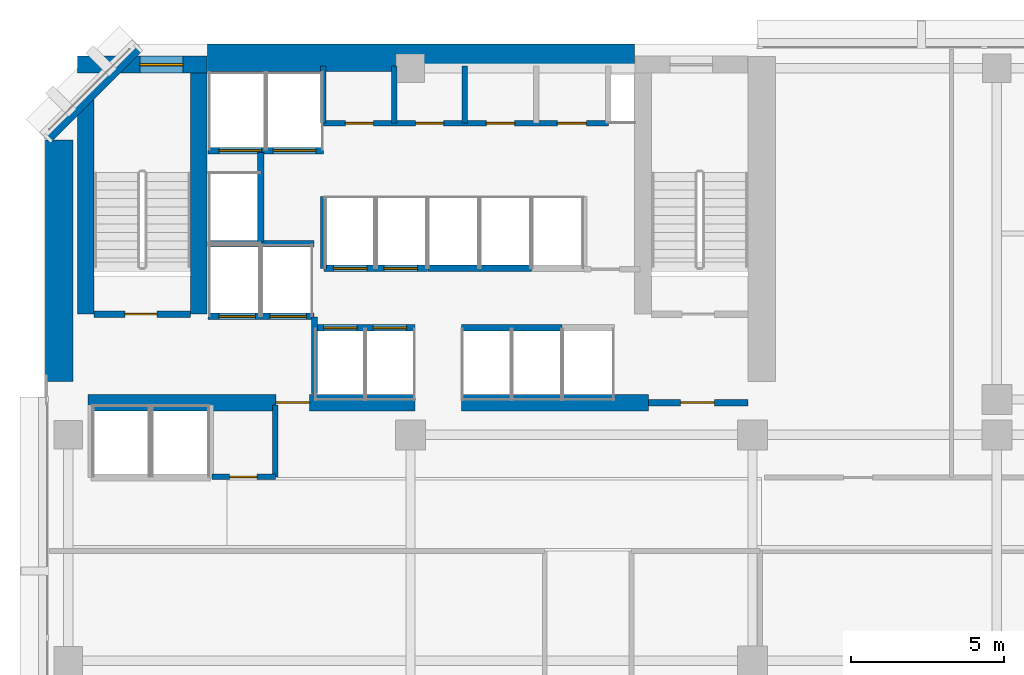
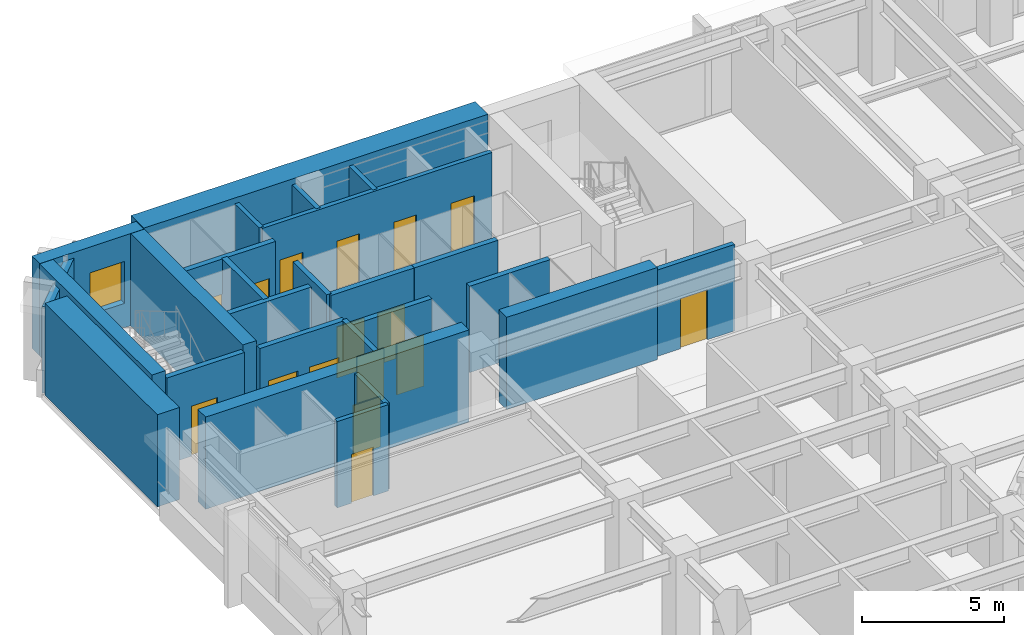
# One storey, part 7 of 13: 26 walls, 16 doors, 1 window, 17 openings.
"""IFC4 building model written with IfcOpenShell, lengths in metres."""

import ifcopenshell
import ifcopenshell.guid

model = None  # the IFC model being written
_history = None  # IfcOwnerHistory: only IFC2X3 demands one
_inside = {}  # id of a spatial element -> (the spatial element, [elements in it])
_under = {}  # id of a project, library or spatial element -> (it, [spatial elements below it])
_declared = {}  # id of a project -> (the project, [libraries it declares])
_typed = {}  # id of a type object -> (the type object, [elements of that type])
_made_of = {}  # id of a material, layer set ... -> (it, [elements and type objects made of it])


def new_model(schema):
    """Start an empty IFC model of exactly this schema.

    Asked for "IFC4X3", IfcOpenShell would pick the latest addendum, in which some entities
    have other attributes; the version numbers below select the first issue.
    IFC2X3 requires an IfcOwnerHistory on every rooted entity: one is made here for all.
    """
    global model, _history
    if schema == "IFC4X3":
        model = ifcopenshell.file(schema_version=(4, 3, 0, 0))
    else:
        model = ifcopenshell.file(schema=schema)
    _inside.clear()
    _under.clear()
    _declared.clear()
    _typed.clear()
    _made_of.clear()
    _history = None
    if model.schema == "IFC2X3":
        org = make("IfcOrganization", Name="unknown")
        user = make(
            "IfcPersonAndOrganization",
            ThePerson=make("IfcPerson", FamilyName="unknown"),
            TheOrganization=org,
        )
        app = make(
            "IfcApplication",
            ApplicationDeveloper=org,
            Version="unknown",
            ApplicationFullName="unknown",
            ApplicationIdentifier="unknown",
        )
        _history = make(
            "IfcOwnerHistory",
            OwningUser=user,
            OwningApplication=app,
            ChangeAction="ADDED",
            CreationDate=0,
        )
    return model


def make(cls, **values):
    """One entity of the class cls with the attributes given. An attribute that is None is left unset."""
    return model.create_entity(
        cls, **{name: value for name, value in values.items() if value is not None}
    )


def rooted(cls, **values):
    """An entity with a GlobalId (a new one), such as an element, a storey or a relation."""
    return make(cls, GlobalId=ifcopenshell.guid.new(), OwnerHistory=_history, **values)


def si_unit(unit_type, name, prefix=None):
    """IfcSIUnit, for example si_unit("LENGTHUNIT", "METRE", prefix="MILLI")."""
    return make("IfcSIUnit", UnitType=unit_type, Prefix=prefix, Name=name)


def assignment(units):
    """IfcUnitAssignment: the units of a project."""
    return None if units is None else make("IfcUnitAssignment", Units=units)


def point(xyz):
    """IfcCartesianPoint."""
    return None if xyz is None else make("IfcCartesianPoint", Coordinates=xyz)


def direction(xyz):
    """IfcDirection."""
    return None if xyz is None else make("IfcDirection", DirectionRatios=xyz)


def frame(location, z_axis=None, x_axis=None):
    """IfcAxis2Placement3D, a coordinate frame: its origin and axes. An axis left out is left unset."""
    return make(
        "IfcAxis2Placement3D",
        Location=point(location),
        Axis=direction(z_axis),
        RefDirection=direction(x_axis),
    )


def frame_2d(location, x_axis=None):
    """IfcAxis2Placement2D, a coordinate frame in the plane: its origin and x axis."""
    return make(
        "IfcAxis2Placement2D", Location=point(location), RefDirection=direction(x_axis)
    )


def origin():
    """The frame at (0, 0, 0) with its axes left unset."""
    return frame((0.0, 0.0, 0.0))


def place(relative_to, where):
    """IfcLocalPlacement: puts the frame where relative to a parent placement (None: the world)."""
    return make(
        "IfcLocalPlacement", PlacementRelTo=relative_to, RelativePlacement=where
    )


def context(
    kind, dimensions, precision=None, world=None, true_north=None, identifier=None
):
    """IfcGeometricRepresentationContext, for example the 3D "Model" context."""
    return make(
        "IfcGeometricRepresentationContext",
        ContextIdentifier=identifier,
        ContextType=kind,
        CoordinateSpaceDimension=dimensions,
        Precision=precision,
        WorldCoordinateSystem=world,
        TrueNorth=true_north,
    )


def subcontext(parent, identifier, kind, view, scale=None):
    """IfcGeometricRepresentationSubContext, for example "Body" below "Model"."""
    return make(
        "IfcGeometricRepresentationSubContext",
        ContextIdentifier=identifier,
        ContextType=kind,
        ParentContext=parent,
        TargetScale=scale,
        TargetView=view,
    )


def project(units=None, contexts=None):
    """IfcProject with its units and contexts."""
    return rooted(
        "IfcProject",
        Name="project",
        RepresentationContexts=contexts,
        UnitsInContext=assignment(units),
    )


def spatial(cls, under=None, at=None, **own):
    """A site, building, storey or space (cls), placed at a placement, below another one or the project."""
    s = rooted(cls, ObjectPlacement=at, **own)
    if under is not None:
        _under.setdefault(under.id(), (under, []))[1].append(s)
    return s


def profile(cls, at=None, kind="AREA", **sizes):
    """A parametric profile (cls). Its sizes go by their IFC names, for example OverallWidth=200.0."""
    return make(cls, ProfileType=kind, Position=at, **sizes)


def rectangle(**sizes):
    """IfcRectangleProfileDef."""
    return profile("IfcRectangleProfileDef", **sizes)


def extrude(swept, where, along, depth):
    """IfcExtrudedAreaSolid: the profile swept, set in the frame where, extruded along a direction by depth."""
    return make(
        "IfcExtrudedAreaSolid",
        SweptArea=swept,
        Position=where,
        ExtrudedDirection=direction(along),
        Depth=depth,
    )


def shape(context_of_items, identifier, shape_type, items):
    """IfcShapeRepresentation: the items that make up one representation, for example the "Body"."""
    return make(
        "IfcShapeRepresentation",
        ContextOfItems=context_of_items,
        RepresentationIdentifier=identifier,
        RepresentationType=shape_type,
        Items=items,
    )


def material(Name=None, Category=None):
    """IfcMaterial."""
    return make("IfcMaterial", Name=Name, Category=Category)


def layer(
    of_material, thickness, ventilated=None, Name=None, Category=None, Priority=None
):
    """IfcMaterialLayer: one layer of a wall or slab, of a material (None: an air gap)."""
    return make(
        "IfcMaterialLayer",
        Material=of_material,
        LayerThickness=thickness,
        IsVentilated=ventilated,
        Name=Name,
        Category=Category,
        Priority=Priority,
    )


def layer_set(layers, Name=None):
    """IfcMaterialLayerSet."""
    return make("IfcMaterialLayerSet", MaterialLayers=layers, LayerSetName=Name)


def made_of(thing, what):
    """Note that an element or type object is made of a material, layer set ...; save() writes the relation."""
    if what is not None:
        _made_of.setdefault(what.id(), (what, []))[1].append(thing)
    return thing


def type_object(cls, material=None, **own):
    """A type object (cls), such as IfcWallType, which elements share."""
    return made_of(rooted(cls, **own), material)


def element(
    cls,
    number,
    at=None,
    inside=None,
    cuts=None,
    type_object=None,
    material=None,
    context=None,
    identifier="Body",
    shape_type=None,
    held_by="IfcProductDefinitionShape",
    body=None,
    shapes=None,
    **own,
):
    """One element of the class cls, such as IfcWall. Its Tag is "e" and its number.

    at: its placement. inside: the storey or other place that contains it. cuts: it is an
    opening in that element (IfcRelVoidsElement). A single representation is given by context,
    identifier, shape_type and body (its items); several are given by shapes. held_by: the class
    of the entity that holds the representations. save() writes the other relations.
    """
    e = rooted(cls, Tag="e%d" % number, ObjectPlacement=at, **own)
    if body is not None:
        shapes = [shape(context, identifier, shape_type, body)]
    if shapes is not None:
        e.Representation = make(held_by, Representations=shapes)
    if inside is not None:
        _inside.setdefault(inside.id(), (inside, []))[1].append(e)
    if cuts is not None:
        rooted(
            "IfcRelVoidsElement", RelatingBuildingElement=cuts, RelatedOpeningElement=e
        )
    if type_object is not None:
        _typed.setdefault(type_object.id(), (type_object, []))[1].append(e)
    return made_of(e, material)


def fill(opening, filler):
    """IfcRelFillsElement: the door or window that sits in an opening."""
    return rooted(
        "IfcRelFillsElement",
        RelatingOpeningElement=opening,
        RelatedBuildingElement=filler,
    )


def aggregate(whole, parts):
    """IfcRelAggregates: a whole, such as a stair, and the parts it consists of."""
    return rooted("IfcRelAggregates", RelatingObject=whole, RelatedObjects=parts)


def save(model, path):
    """Write the relations noted so far, then the file.

    IfcRelAggregates (storeys below a building ...), IfcRelContainedInSpatialStructure (elements
    in a storey), IfcRelDefinesByType, IfcRelAssociatesMaterial and IfcRelDeclares: one each for
    every whole, place, type object, material and project.
    """
    for whole, parts in _under.values():
        aggregate(whole, parts)
    for where, things in _inside.values():
        rooted(
            "IfcRelContainedInSpatialStructure",
            RelatedElements=things,
            RelatingStructure=where,
        )
    for kind, things in _typed.values():
        rooted("IfcRelDefinesByType", RelatedObjects=things, RelatingType=kind)
    for what, things in _made_of.values():
        rooted("IfcRelAssociatesMaterial", RelatedObjects=things, RelatingMaterial=what)
    for by, libraries in _declared.values():
        rooted("IfcRelDeclares", RelatingContext=by, RelatedDefinitions=libraries)
    model.write(path)


model = new_model("IFC4")

# Units and contexts
model_context = context("Model", 3, precision=1e-05, world=origin(), true_north=direction((0.0, 1.0)))
body_context = subcontext(model_context, "Body", "Model", "MODEL_VIEW")
ifc_project = project(units=[si_unit("LENGTHUNIT", "METRE"), si_unit("AREAUNIT", "SQUARE_METRE"), si_unit("VOLUMEUNIT", "CUBIC_METRE"), si_unit("PLANEANGLEUNIT", "RADIAN"), si_unit("MASSUNIT", "GRAM", prefix="KILO")], contexts=[model_context])

# Site, building, storey
site_placement = place(None, origin())
site = spatial("IfcSite", under=ifc_project, at=site_placement, CompositionType="ELEMENT")
building_placement = place(site_placement, origin())
building = spatial("IfcBuilding", under=site, at=building_placement, Name="Kefirva Bronze Tower", CompositionType="ELEMENT")
storey_placement = place(building_placement, frame((0.0, 0.0, 73.919921875)))
storey = spatial("IfcBuildingStorey", under=building, at=storey_placement, Name="L17", CompositionType="ELEMENT", Elevation=73.919921875)

# Wall, opening, door
ifc_material_1 = material(Name="Gypsum fireboard shaftwall")
ifc_layer_1 = layer(ifc_material_1, 0.219970703125, Name="Gypsum fireboard shaftwall")
ifc_layer_set_1 = layer_set([ifc_layer_1], Name="Gypsum fireboard shaftwall")
wall_type_1 = type_object("IfcWallType", Name="Fire-Rated Shaft Enclosure Wall 220mm", PredefinedType="PARTITIONING", material=ifc_layer_set_1)
wall_1_placement = place(storey_placement, frame((1.64990234375, 37.14990234375, 0.0), z_axis=(0.0, 0.0, 1.0), x_axis=(1.0, 0.0, 0.0)))
wall_1 = element("IfcWall", 1, at=wall_1_placement, inside=storey, type_object=wall_type_1, Name="L17 Partition W-L17-ST1S", PredefinedType="PARTITIONING", context=body_context, shape_type="SweptSolid", body=[
    extrude(rectangle(XDim=3.150146484375, YDim=0.219970703125, at=frame_2d((1.5751953125, 0.0))), origin(), (0.0, 0.0, 1.0), 3.7099609375),
])
opening_1_placement = place(wall_1_placement, frame((2.050048828125, 0.0, 0.0), z_axis=(0.0, 0.0, 1.0), x_axis=(-1.0, 0.0, 0.0)))
opening_1 = element("IfcOpeningElement", 2, at=opening_1_placement, cuts=wall_1, Name="Opening L17-D001", PredefinedType="OPENING", context=body_context, shape_type="SweptSolid", body=[
    extrude(rectangle(XDim=1.050048828125, YDim=2.14990234375, at=frame_2d((0.52490234375, 1.074951171875))), frame((0.0, 0.1201171875, 0.0), z_axis=(0.0, -1.0, 0.0), x_axis=(1.0, 0.0, 0.0)), (0.0, 0.0, 1.0), 0.239990234375),
])
ifc_material_2 = material(Name="Painted galvanized steel", Category="steel")
door_type_1 = type_object("IfcDoorType", Name="Fire Stair Enclosure Door 1050x2150 FD90S", OperationType="NOTDEFINED", PredefinedType="DOOR", material=ifc_material_2)
door_1_placement = place(opening_1_placement, origin())
door_1 = element("IfcDoor", 3, at=door_1_placement, inside=storey, type_object=door_type_1, Name="Door L17-D001", OperationType="SINGLE_SWING_LEFT", OverallHeight=2.14990234375, OverallWidth=1.050048828125, PredefinedType="DOOR", context=body_context, shape_type="SweptSolid", body=[
    extrude(rectangle(XDim=1.050048828125, YDim=2.14990234375, at=frame_2d((0.52490234375, 1.074951171875))), frame((0.0, 0.02490234375, 0.0), z_axis=(0.0, -1.0, 0.0), x_axis=(1.0, 0.0, 0.0)), (0.0, 0.0, 1.0), 0.050048828125),
])
fill(opening_1, door_1)

# Wall, openings, doors
wall_2_placement = place(storey_placement, frame((5.3798828125, 37.080078125, 0.0), z_axis=(0.0, 0.0, 1.0), x_axis=(1.0, 0.0, 0.0)))
wall_2 = element("IfcWall", 4, at=wall_2_placement, inside=storey, type_object=wall_type_1, Name="L17 Partition W-L17-FFS", PredefinedType="PARTITIONING", context=body_context, shape_type="SweptSolid", body=[
    extrude(rectangle(XDim=3.460205078125, YDim=0.219970703125, at=frame_2d((1.72998046875, 0.0))), origin(), (0.0, 0.0, 1.0), 3.7099609375),
])
opening_2_placement = place(wall_2_placement, frame((1.550048828125, 0.0, 0.0), z_axis=(0.0, 0.0, 1.0), x_axis=(-1.0, 0.0, 0.0)))
opening_2 = element("IfcOpeningElement", 5, at=opening_2_placement, cuts=wall_2, Name="Opening L17-LD-FF1", PredefinedType="OPENING", context=body_context, shape_type="SweptSolid", body=[
    extrude(rectangle(XDim=1.199951171875, YDim=2.199951171875, at=frame_2d((0.60009765625, 1.10009765625))), frame((0.0, 0.1201171875, 0.0), z_axis=(0.0, -1.0, 0.0), x_axis=(1.0, 0.0, 0.0)), (0.0, 0.0, 1.0), 0.239990234375),
])
opening_3_placement = place(wall_2_placement, frame((3.219970703125, 0.0, 0.0), z_axis=(0.0, 0.0, 1.0), x_axis=(-1.0, 0.0, 0.0)))
opening_3 = element("IfcOpeningElement", 6, at=opening_3_placement, cuts=wall_2, Name="Opening L17-LD-FF2", PredefinedType="OPENING", context=body_context, shape_type="SweptSolid", body=[
    extrude(rectangle(XDim=1.199951171875, YDim=2.199951171875, at=frame_2d((0.60009765625, 1.10009765625))), frame((0.0, 0.1201171875, 0.0), z_axis=(0.0, -1.0, 0.0), x_axis=(1.0, 0.0, 0.0)), (0.0, 0.0, 1.0), 0.239990234375),
])
ifc_material_3 = material(Name="Stainless steel 316", Category="steel")
door_type_2 = type_object("IfcDoorType", Name="Firefighting Lift Sliding Door 1200x2200", OperationType="SLIDING_TO_RIGHT", PredefinedType="DOOR", material=ifc_material_3)
door_2_placement = place(opening_2_placement, origin())
door_2 = element("IfcDoor", 7, at=door_2_placement, inside=storey, type_object=door_type_2, Name="Door L17-LD-FF1", OperationType="SLIDING_TO_RIGHT", OverallHeight=2.199951171875, OverallWidth=1.199951171875, PredefinedType="DOOR", context=body_context, shape_type="SweptSolid", body=[
    extrude(rectangle(XDim=1.199951171875, YDim=2.199951171875, at=frame_2d((0.60009765625, 1.10009765625))), frame((0.0, 0.02490234375, 0.0), z_axis=(0.0, -1.0, 0.0), x_axis=(1.0, 0.0, 0.0)), (0.0, 0.0, 1.0), 0.050048828125),
])
fill(opening_2, door_2)
door_3_placement = place(opening_3_placement, origin())
door_3 = element("IfcDoor", 8, at=door_3_placement, inside=storey, type_object=door_type_2, Name="Door L17-LD-FF2", OperationType="SLIDING_TO_RIGHT", OverallHeight=2.199951171875, OverallWidth=1.199951171875, PredefinedType="DOOR", context=body_context, shape_type="SweptSolid", body=[
    extrude(rectangle(XDim=1.199951171875, YDim=2.199951171875, at=frame_2d((0.60009765625, 1.10009765625))), frame((0.0, 0.02490234375, 0.0), z_axis=(0.0, -1.0, 0.0), x_axis=(1.0, 0.0, 0.0)), (0.0, 0.0, 1.0), 0.050048828125),
])
fill(opening_3, door_3)

# Wall
wall_3_placement = place(storey_placement, frame((5.3798828125, 39.449951171875, 0.0), z_axis=(0.0, 0.0, 1.0), x_axis=(1.0, 0.0, 0.0)))
element("IfcWall", 9, at=wall_3_placement, inside=storey, type_object=wall_type_1, Name="L17 Partition W-L17-FFN", PredefinedType="PARTITIONING", context=body_context, shape_type="SweptSolid", body=[
    extrude(rectangle(XDim=3.460205078125, YDim=0.219970703125, at=frame_2d((1.72998046875, 0.0))), origin(), (0.0, 0.0, 1.0), 3.7099609375),
])

# Wall, openings, doors
wall_4_placement = place(storey_placement, frame((5.3798828125, 42.5, 0.0), z_axis=(0.0, 0.0, 1.0), x_axis=(1.0, 0.0, 0.0)))
wall_4 = element("IfcWall", 10, at=wall_4_placement, inside=storey, type_object=wall_type_1, Name="L17 Partition W-L17-SVS", PredefinedType="PARTITIONING", context=body_context, shape_type="SweptSolid", body=[
    extrude(rectangle(XDim=3.77001953125, YDim=0.219970703125, at=frame_2d((1.885009765625, 0.0))), origin(), (0.0, 0.0, 1.0), 3.7099609375),
])
opening_4_placement = place(wall_4_placement, frame((1.75, 0.0, 0.0), z_axis=(0.0, 0.0, 1.0), x_axis=(-1.0, 0.0, 0.0)))
opening_4 = element("IfcOpeningElement", 11, at=opening_4_placement, cuts=wall_4, Name="Opening L17-LD-SV1", PredefinedType="OPENING", context=body_context, shape_type="SweptSolid", body=[
    extrude(rectangle(XDim=1.39990234375, YDim=2.199951171875, at=frame_2d((0.699951171875, 1.10009765625))), frame((0.0, 0.1201171875, 0.0), z_axis=(0.0, -1.0, 0.0), x_axis=(1.0, 0.0, 0.0)), (0.0, 0.0, 1.0), 0.239990234375),
])
opening_5_placement = place(wall_4_placement, frame((3.52978515625, 0.0, 0.0), z_axis=(0.0, 0.0, 1.0), x_axis=(-1.0, 0.0, 0.0)))
opening_5 = element("IfcOpeningElement", 12, at=opening_5_placement, cuts=wall_4, Name="Opening L17-LD-SV2", PredefinedType="OPENING", context=body_context, shape_type="SweptSolid", body=[
    extrude(rectangle(XDim=1.39990234375, YDim=2.199951171875, at=frame_2d((0.699951171875, 1.10009765625))), frame((0.0, 0.1201171875, 0.0), z_axis=(0.0, -1.0, 0.0), x_axis=(1.0, 0.0, 0.0)), (0.0, 0.0, 1.0), 0.239990234375),
])
door_type_3 = type_object("IfcDoorType", Name="Goods Lift Bi-Parting Sliding Door 1400x2200", OperationType="SLIDING_TO_LEFT", PredefinedType="DOOR", material=ifc_material_3)
door_4_placement = place(opening_4_placement, origin())
door_4 = element("IfcDoor", 13, at=door_4_placement, inside=storey, type_object=door_type_3, Name="Door L17-LD-SV1", OperationType="SLIDING_TO_LEFT", OverallHeight=2.199951171875, OverallWidth=1.39990234375, PredefinedType="DOOR", context=body_context, shape_type="SweptSolid", body=[
    extrude(rectangle(XDim=1.39990234375, YDim=2.199951171875, at=frame_2d((0.699951171875, 1.10009765625))), frame((0.0, 0.02490234375, 0.0), z_axis=(0.0, -1.0, 0.0), x_axis=(1.0, 0.0, 0.0)), (0.0, 0.0, 1.0), 0.050048828125),
])
fill(opening_4, door_4)
door_5_placement = place(opening_5_placement, origin())
door_5 = element("IfcDoor", 14, at=door_5_placement, inside=storey, type_object=door_type_3, Name="Door L17-LD-SV2", OperationType="SLIDING_TO_LEFT", OverallHeight=2.199951171875, OverallWidth=1.39990234375, PredefinedType="DOOR", context=body_context, shape_type="SweptSolid", body=[
    extrude(rectangle(XDim=1.39990234375, YDim=2.199951171875, at=frame_2d((0.699951171875, 1.10009765625))), frame((0.0, 0.02490234375, 0.0), z_axis=(0.0, -1.0, 0.0), x_axis=(1.0, 0.0, 0.0)), (0.0, 0.0, 1.0), 0.050048828125),
])
fill(opening_5, door_5)

# Walls
wall_5_placement = place(storey_placement, frame((7.10009765625, 39.52001953125, 0.0), z_axis=(0.0, 0.0, 1.0), x_axis=(0.0, 1.0, 0.0)))
element("IfcWall", 15, at=wall_5_placement, inside=storey, type_object=wall_type_1, Name="L17 Partition W-L17-HP3E", PredefinedType="PARTITIONING", context=body_context, shape_type="SweptSolid", body=[
    extrude(rectangle(XDim=2.929931640625, YDim=0.219970703125, at=frame_2d((1.46484375, 0.0))), origin(), (0.0, 0.0, 1.0), 3.7099609375),
])
wall_6_placement = place(storey_placement, frame((9.159912109375, 38.64990234375, 0.0), z_axis=(0.0, 0.0, 1.0), x_axis=(0.0, 1.0, 0.0)))
element("IfcWall", 16, at=wall_6_placement, inside=storey, type_object=wall_type_1, Name="L17 Partition W-L17-LP3W", PredefinedType="PARTITIONING", context=body_context, shape_type="SweptSolid", body=[
    extrude(rectangle(XDim=2.35009765625, YDim=0.199951171875, at=frame_2d((1.175048828125, 0.0))), origin(), (0.0, 0.0, 1.0), 3.7099609375),
])

# Wall, openings, doors
wall_7_placement = place(storey_placement, frame((8.89990234375, 36.699951171875, 0.0), z_axis=(0.0, 0.0, 1.0), x_axis=(1.0, 0.0, 0.0)))
wall_7 = element("IfcWall", 17, at=wall_7_placement, inside=storey, type_object=wall_type_1, Name="L17 Partition W-L17-LPS", PredefinedType="PARTITIONING", context=body_context, shape_type="SweptSolid", body=[
    extrude(rectangle(XDim=3.260009765625, YDim=0.219970703125, at=frame_2d((1.6298828125, 0.0))), origin(), (0.0, 0.0, 1.0), 3.7099609375),
])
opening_6_placement = place(wall_7_placement, frame((0.260009765625, 0.0, 0.0)))
opening_6 = element("IfcOpeningElement", 18, at=opening_6_placement, cuts=wall_7, Name="Opening L17-LD-LP1", PredefinedType="OPENING", context=body_context, shape_type="SweptSolid", body=[
    extrude(rectangle(XDim=1.10009765625, YDim=2.199951171875, at=frame_2d((0.550048828125, 1.10009765625))), frame((0.0, 0.1201171875, 0.0), z_axis=(0.0, -1.0, 0.0), x_axis=(1.0, 0.0, 0.0)), (0.0, 0.0, 1.0), 0.239990234375),
])
opening_7_placement = place(wall_7_placement, frame((1.8798828125, 0.0, 0.0)))
opening_7 = element("IfcOpeningElement", 19, at=opening_7_placement, cuts=wall_7, Name="Opening L17-LD-LP2", PredefinedType="OPENING", context=body_context, shape_type="SweptSolid", body=[
    extrude(rectangle(XDim=1.10009765625, YDim=2.199951171875, at=frame_2d((0.550048828125, 1.10009765625))), frame((0.0, 0.1201171875, 0.0), z_axis=(0.0, -1.0, 0.0), x_axis=(1.0, 0.0, 0.0)), (0.0, 0.0, 1.0), 0.239990234375),
])
door_type_4 = type_object("IfcDoorType", Name="Passenger Lift Sliding Landing Door 1100x2200", OperationType="SLIDING_TO_LEFT", PredefinedType="DOOR", material=ifc_material_3)
door_6_placement = place(opening_6_placement, origin())
door_6 = element("IfcDoor", 20, at=door_6_placement, inside=storey, type_object=door_type_4, Name="Door L17-LD-LP1", OperationType="SLIDING_TO_LEFT", OverallHeight=2.199951171875, OverallWidth=1.10009765625, PredefinedType="DOOR", context=body_context, shape_type="SweptSolid", body=[
    extrude(rectangle(XDim=1.10009765625, YDim=2.199951171875, at=frame_2d((0.550048828125, 1.10009765625))), frame((0.0, 0.02490234375, 0.0), z_axis=(0.0, -1.0, 0.0), x_axis=(1.0, 0.0, 0.0)), (0.0, 0.0, 1.0), 0.050048828125),
])
fill(opening_6, door_6)
door_7_placement = place(opening_7_placement, origin())
door_7 = element("IfcDoor", 21, at=door_7_placement, inside=storey, type_object=door_type_4, Name="Door L17-LD-LP2", OperationType="SLIDING_TO_LEFT", OverallHeight=2.199951171875, OverallWidth=1.10009765625, PredefinedType="DOOR", context=body_context, shape_type="SweptSolid", body=[
    extrude(rectangle(XDim=1.10009765625, YDim=2.199951171875, at=frame_2d((0.550048828125, 1.10009765625))), frame((0.0, 0.02490234375, 0.0), z_axis=(0.0, -1.0, 0.0), x_axis=(1.0, 0.0, 0.0)), (0.0, 0.0, 1.0), 0.050048828125),
])
fill(opening_7, door_7)

wall_8_placement = place(storey_placement, frame((9.179931640625, 38.64990234375, 0.0), z_axis=(0.0, 0.0, 1.0), x_axis=(1.0, 0.0, 0.0)))
wall_8 = element("IfcWall", 22, at=wall_8_placement, inside=storey, type_object=wall_type_1, Name="L17 Partition W-L17-LPN", PredefinedType="PARTITIONING", context=body_context, shape_type="SweptSolid", body=[
    extrude(rectangle(XDim=3.380126953125, YDim=0.219970703125, at=frame_2d((1.68994140625, 0.0))), origin(), (0.0, 0.0, 1.0), 3.7099609375),
])
opening_8_placement = place(wall_8_placement, frame((0.300048828125, 0.0, 0.0)))
opening_8 = element("IfcOpeningElement", 23, at=opening_8_placement, cuts=wall_8, Name="Opening L17-LD-LP3", PredefinedType="OPENING", context=body_context, shape_type="SweptSolid", body=[
    extrude(rectangle(XDim=1.10009765625, YDim=2.199951171875, at=frame_2d((0.550048828125, 1.10009765625))), frame((0.0, 0.1201171875, 0.0), z_axis=(0.0, -1.0, 0.0), x_axis=(1.0, 0.0, 0.0)), (0.0, 0.0, 1.0), 0.239990234375),
])
opening_9_placement = place(wall_8_placement, frame((1.949951171875, 0.0, 0.0)))
opening_9 = element("IfcOpeningElement", 24, at=opening_9_placement, cuts=wall_8, Name="Opening L17-LD-LP4", PredefinedType="OPENING", context=body_context, shape_type="SweptSolid", body=[
    extrude(rectangle(XDim=1.10009765625, YDim=2.199951171875, at=frame_2d((0.550048828125, 1.10009765625))), frame((0.0, 0.1201171875, 0.0), z_axis=(0.0, -1.0, 0.0), x_axis=(1.0, 0.0, 0.0)), (0.0, 0.0, 1.0), 0.239990234375),
])
door_8_placement = place(opening_8_placement, origin())
door_8 = element("IfcDoor", 25, at=door_8_placement, inside=storey, type_object=door_type_4, Name="Door L17-LD-LP3", OperationType="SLIDING_TO_LEFT", OverallHeight=2.199951171875, OverallWidth=1.10009765625, PredefinedType="DOOR", context=body_context, shape_type="SweptSolid", body=[
    extrude(rectangle(XDim=1.10009765625, YDim=2.199951171875, at=frame_2d((0.550048828125, 1.10009765625))), frame((0.0, 0.02490234375, 0.0), z_axis=(0.0, -1.0, 0.0), x_axis=(1.0, 0.0, 0.0)), (0.0, 0.0, 1.0), 0.050048828125),
])
fill(opening_8, door_8)
door_9_placement = place(opening_9_placement, origin())
door_9 = element("IfcDoor", 26, at=door_9_placement, inside=storey, type_object=door_type_4, Name="Door L17-LD-LP4", OperationType="SLIDING_TO_LEFT", OverallHeight=2.199951171875, OverallWidth=1.10009765625, PredefinedType="DOOR", context=body_context, shape_type="SweptSolid", body=[
    extrude(rectangle(XDim=1.10009765625, YDim=2.199951171875, at=frame_2d((0.550048828125, 1.10009765625))), frame((0.0, 0.02490234375, 0.0), z_axis=(0.0, -1.0, 0.0), x_axis=(1.0, 0.0, 0.0)), (0.0, 0.0, 1.0), 0.050048828125),
])
fill(opening_9, door_9)

# Walls
wall_9_placement = place(storey_placement, frame((13.679931640625, 36.699951171875, 0.0), z_axis=(0.0, 0.0, 1.0), x_axis=(1.0, 0.0, 0.0)))
element("IfcWall", 27, at=wall_9_placement, inside=storey, type_object=wall_type_1, Name="L17 Partition W-L17-MPS", PredefinedType="PARTITIONING", context=body_context, shape_type="SweptSolid", body=[
    extrude(rectangle(XDim=3.280029296875, YDim=0.219970703125, at=frame_2d((1.64013671875, 0.0))), origin(), (0.0, 0.0, 1.0), 3.7099609375),
])
wall_10_placement = place(storey_placement, frame((12.580078125, 38.64990234375, 0.0), z_axis=(0.0, 0.0, 1.0), x_axis=(1.0, 0.0, 0.0)))
element("IfcWall", 28, at=wall_10_placement, inside=storey, type_object=wall_type_1, Name="L17 Partition W-L17-MPN", PredefinedType="PARTITIONING", context=body_context, shape_type="SweptSolid", body=[
    extrude(rectangle(XDim=3.3798828125, YDim=0.219970703125, at=frame_2d((1.68994140625, 0.0))), origin(), (0.0, 0.0, 1.0), 3.7099609375),
])
ifc_material_4 = material(Name="Gypsum fireboard barrier")
ifc_layer_2 = layer(ifc_material_4, 0.199951171875, Name="Gypsum fireboard barrier")
ifc_layer_set_2 = layer_set([ifc_layer_2], Name="Gypsum fireboard barrier")
wall_type_2 = type_object("IfcWallType", Name="Firefighting Lobby Barrier Wall 200mm", PredefinedType="PARTITIONING", material=ifc_layer_set_2)
wall_11_placement = place(storey_placement, frame((8.860107421875, 34.550048828125, 0.0), z_axis=(0.0, 0.0, 1.0), x_axis=(0.0, 1.0, 0.0)))
element("IfcWall", 29, at=wall_11_placement, inside=storey, type_object=wall_type_2, Name="L17 Partition W-L17-FFLE", PredefinedType="PARTITIONING", context=body_context, shape_type="SweptSolid", body=[
    extrude(rectangle(XDim=2.5, YDim=0.199951171875, at=frame_2d((1.25, 0.0))), origin(), (0.0, 0.0, 1.0), 3.7099609375),
])

# Wall, opening, door
wall_12_placement = place(storey_placement, frame((19.800048828125, 34.25, 0.0), z_axis=(0.0, 0.0, 1.0), x_axis=(1.0, 0.0, 0.0)))
wall_12 = element("IfcWall", 30, at=wall_12_placement, inside=storey, type_object=wall_type_2, Name="L17 Partition W-L17-ST2F", PredefinedType="PARTITIONING", context=body_context, shape_type="SweptSolid", body=[
    extrude(rectangle(XDim=3.25, YDim=0.199951171875, at=frame_2d((1.625, 0.0))), origin(), (0.0, 0.0, 1.0), 3.7099609375),
])
opening_10_placement = place(wall_12_placement, frame((2.150146484375, 0.0, 0.0), z_axis=(0.0, 0.0, 1.0), x_axis=(-1.0, 0.0, 0.0)))
opening_10 = element("IfcOpeningElement", 31, at=opening_10_placement, cuts=wall_12, Name="Opening L17-D004", PredefinedType="OPENING", context=body_context, shape_type="SweptSolid", body=[
    extrude(rectangle(XDim=1.10009765625, YDim=2.14990234375, at=frame_2d((0.550048828125, 1.074951171875))), frame((0.0, 0.10986328125, 0.0), z_axis=(0.0, -1.0, 0.0), x_axis=(1.0, 0.0, 0.0)), (0.0, 0.0, 1.0), 0.219970703125),
])
door_type_5 = type_object("IfcDoorType", Name="Firefighting Lobby Smoke Door 1100x2150 FD60S", OperationType="NOTDEFINED", PredefinedType="DOOR", material=ifc_material_2)
door_10_placement = place(opening_10_placement, origin())
door_10 = element("IfcDoor", 32, at=door_10_placement, inside=storey, type_object=door_type_5, Name="Door L17-D004", OperationType="SINGLE_SWING_RIGHT", OverallHeight=2.14990234375, OverallWidth=1.10009765625, PredefinedType="DOOR", context=body_context, shape_type="SweptSolid", body=[
    extrude(rectangle(XDim=1.10009765625, YDim=2.14990234375, at=frame_2d((0.550048828125, 1.074951171875))), frame((0.0, 0.02490234375, 0.0), z_axis=(0.0, -1.0, 0.0), x_axis=(1.0, 0.0, 0.0)), (0.0, 0.0, 1.0), 0.050048828125),
])
fill(opening_10, door_10)

# Wall
ifc_material_5 = material(Name="Precast concrete C40/50", Category="concrete")
ifc_layer_3 = layer(ifc_material_5, 0.320068359375, Name="Precast concrete C40/50")
ifc_layer_set_3 = layer_set([ifc_layer_3], Name="Precast concrete C40/50")
wall_type_3 = type_object("IfcWallType", Name="Precast Insulated Exterior Wall 320mm", PredefinedType="SOLIDWALL", material=ifc_layer_set_3)
wall_13_placement = place(storey_placement, frame((3.07421875, 45.847900390625, 0.0), z_axis=(0.0, 0.0, 1.0), x_axis=(-0.707106781187, -0.707106781187, 0.0)))
element("IfcWall", 33, at=wall_13_placement, inside=storey, type_object=wall_type_3, Name="L17 Exterior Facade Wall 6", PredefinedType="SOLIDWALL", context=body_context, shape_type="SweptSolid", body=[
    extrude(rectangle(XDim=4.132568359375, YDim=0.320068359375, at=frame_2d((2.06640625, 0.0))), origin(), (0.0, 0.0, 1.0), 3.7099609375),
])

# Wall, opening, window
ifc_material_6 = material(Name="Concrete C50/60", Category="concrete")
ifc_layer_4 = layer(ifc_material_6, 0.550048828125, Name="Concrete C50/60")
ifc_layer_set_4 = layer_set([ifc_layer_4], Name="Concrete C50/60")
wall_type_4 = type_object("IfcWallType", Name="RC Rear Core Exterior Wall 550mm", PredefinedType="SHEAR", material=ifc_layer_set_4)
wall_14_placement = place(storey_placement, frame((1.10009765625, 45.320068359375, 0.0), z_axis=(0.0, 0.0, 1.0), x_axis=(1.0, 0.0, 0.0)))
wall_14 = element("IfcWall", 34, at=wall_14_placement, inside=storey, type_object=wall_type_4, Name="L17 Stair 1 North Shear Wall", PredefinedType="SHEAR", context=body_context, shape_type="SweptSolid", body=[
    extrude(rectangle(XDim=4.239990234375, YDim=0.550048828125, at=frame_2d((2.1201171875, 0.0))), origin(), (0.0, 0.0, 1.0), 3.9599609375),
])
opening_11_placement = place(wall_14_placement, frame((2.050048828125, 0.0, 1.050048828125)))
opening_11 = element("IfcOpeningElement", 35, at=opening_11_placement, cuts=wall_14, Name="Opening WN-03", PredefinedType="OPENING", context=body_context, shape_type="SweptSolid", body=[
    extrude(rectangle(XDim=1.39990234375, YDim=1.800048828125, at=frame_2d((0.699951171875, 0.89990234375))), frame((0.0, 0.28515625, 0.0), z_axis=(0.0, -1.0, 0.0), x_axis=(1.0, 0.0, 0.0)), (0.0, 0.0, 1.0), 0.570068359375),
])
ifc_material_7 = material(Name="Laminated low-E double glazing", Category="glass")
window_type = type_object("IfcWindowType", Name="Rear-Core Stair Daylight Window 1400x1800", PartitioningType="SINGLE_PANEL", PredefinedType="WINDOW", material=ifc_material_7)
window_placement = place(opening_11_placement, origin())
window = element("IfcWindow", 36, at=window_placement, inside=storey, type_object=window_type, Name="L17 Stair 1 Daylight Window", OverallHeight=1.800048828125, OverallWidth=1.39990234375, PartitioningType="SINGLE_PANEL", PredefinedType="WINDOW", context=body_context, shape_type="SweptSolid", body=[
    extrude(rectangle(XDim=1.39990234375, YDim=1.800048828125, at=frame_2d((0.699951171875, 0.89990234375))), frame((0.0, 0.030029296875, 0.0), z_axis=(0.0, -1.0, 0.0), x_axis=(1.0, 0.0, 0.0)), (0.0, 0.0, 1.0), 0.06005859375),
])
fill(opening_11, window)

# Walls
ifc_material_8 = material(Name="Concrete C60/75", Category="concrete")
ifc_layer_5 = layer(ifc_material_8, 0.89990234375, Name="Concrete C60/75")
ifc_layer_set_5 = layer_set([ifc_layer_5], Name="Concrete C60/75")
wall_type_5 = type_object("IfcWallType", Name="RC Rear Core Exterior Wall 900mm", PredefinedType="SHEAR", material=ifc_layer_set_5)
wall_15_placement = place(storey_placement, frame((5.360107421875, 45.550048828125, 0.0), z_axis=(0.0, 0.0, 1.0), x_axis=(1.0, 0.0, 0.0)))
element("IfcWall", 37, at=wall_15_placement, inside=storey, type_object=wall_type_5, Name="L17 Rear Core North Shear Wall", PredefinedType="SHEAR", context=body_context, shape_type="SweptSolid", body=[
    extrude(rectangle(XDim=13.97998046875, YDim=0.89990234375, at=frame_2d((6.989990234375, 0.0))), origin(), (0.0, 0.0, 1.0), 3.9599609375),
])
wall_16_placement = place(storey_placement, frame((0.5, 34.949951171875, 0.0), z_axis=(0.0, 0.0, 1.0), x_axis=(0.0, 1.0, 0.0)))
element("IfcWall", 38, at=wall_16_placement, inside=storey, type_object=wall_type_5, Name="L17 Rear Core West Shear Wall", PredefinedType="SHEAR", context=body_context, shape_type="SweptSolid", body=[
    extrude(rectangle(XDim=7.900146484375, YDim=0.89990234375, at=frame_2d((3.9501953125, 0.0))), origin(), (0.0, 0.0, 1.0), 3.9599609375),
])
ifc_layer_6 = layer(ifc_material_6, 0.550048828125, Name="Concrete C50/60")
ifc_layer_set_6 = layer_set([ifc_layer_6], Name="Concrete C50/60")
wall_type_6 = type_object("IfcWallType", Name="RC Rear Core Interior Wall 550mm", PredefinedType="SHEAR", material=ifc_layer_set_6)
for number, where, z_axis, x_axis, name in (
    (39, (1.3701171875, 37.14990234375, 0.0), (0.0, 0.0, 1.0), (0.0, 1.0, 0.0), "L17 Stair 1 West Shear Wall"),
    (40, (5.070068359375, 37.14990234375, 0.0), (0.0, 0.0, 1.0), (0.0, 1.0, 0.0), "L17 Stair 1 East Shear Wall"),
):
    element("IfcWall", number, at=place(storey_placement, frame(where, z_axis=z_axis, x_axis=x_axis)), inside=storey, type_object=wall_type_6, Name=name, PredefinedType="SHEAR", context=body_context, shape_type="SweptSolid", body=[
        extrude(rectangle(XDim=7.89013671875, YDim=0.550048828125, at=frame_2d((3.945068359375, 0.0))), origin(), (0.0, 0.0, 1.0), 3.9599609375),
    ])

# Wall, opening, door
ifc_layer_7 = layer(ifc_material_8, 0.89990234375, Name="Concrete C60/75")
ifc_layer_set_7 = layer_set([ifc_layer_7], Name="Concrete C60/75")
wall_type_7 = type_object("IfcWallType", Name="RC Rear Core Interior Wall 900mm", PredefinedType="SHEAR", material=ifc_layer_set_7)
wall_17_placement = place(storey_placement, frame((1.449951171875, 34.25, 0.0), z_axis=(0.0, 0.0, 1.0), x_axis=(1.0, 0.0, 0.0)))
wall_17 = element("IfcWall", 41, at=wall_17_placement, inside=storey, type_object=wall_type_7, Name="L17 Rear Core South-West Shear Wall", PredefinedType="SHEAR", context=body_context, shape_type="SweptSolid", body=[
    extrude(rectangle(XDim=10.7099609375, YDim=0.550048828125, at=frame_2d((5.35498046875, 0.0))), origin(), (0.0, 0.0, 1.0), 3.9599609375),
])
opening_12_placement = place(wall_17_placement, frame((7.25, 0.0, 0.0), z_axis=(0.0, 0.0, 1.0), x_axis=(-1.0, 0.0, 0.0)))
opening_12 = element("IfcOpeningElement", 42, at=opening_12_placement, cuts=wall_17, Name="Opening L17-D002", PredefinedType="OPENING", context=body_context, shape_type="SweptSolid", body=[
    extrude(rectangle(XDim=1.10009765625, YDim=2.14990234375, at=frame_2d((0.550048828125, 1.074951171875))), frame((0.0, 0.28515625, 0.0), z_axis=(0.0, -1.0, 0.0), x_axis=(1.0, 0.0, 0.0)), (0.0, 0.0, 1.0), 0.570068359375),
])
door_11_placement = place(opening_12_placement, origin())
door_11 = element("IfcDoor", 43, at=door_11_placement, inside=storey, type_object=door_type_5, Name="Door L17-D002", OperationType="SINGLE_SWING_RIGHT", OverallHeight=2.14990234375, OverallWidth=1.10009765625, PredefinedType="DOOR", context=body_context, shape_type="SweptSolid", body=[
    extrude(rectangle(XDim=1.10009765625, YDim=2.14990234375, at=frame_2d((0.550048828125, 1.074951171875))), frame((0.0, 0.02490234375, 0.0), z_axis=(0.0, -1.0, 0.0), x_axis=(1.0, 0.0, 0.0)), (0.0, 0.0, 1.0), 0.050048828125),
])
fill(opening_12, door_11)

# Wall
wall_18_placement = place(storey_placement, frame((13.679931640625, 34.25, 0.0), z_axis=(0.0, 0.0, 1.0), x_axis=(1.0, 0.0, 0.0)))
element("IfcWall", 44, at=wall_18_placement, inside=storey, type_object=wall_type_7, Name="L17 Rear Core South-East Shear Wall", PredefinedType="SHEAR", context=body_context, shape_type="SweptSolid", body=[
    extrude(rectangle(XDim=6.1201171875, YDim=0.550048828125, at=frame_2d((3.06005859375, 0.0))), origin(), (0.0, 0.0, 1.0), 3.9599609375),
])

# Wall, opening, door
ifc_material_9 = material(Name="Moisture-resistant partition")
ifc_layer_8 = layer(ifc_material_9, 0.179931640625, Name="Moisture-resistant partition")
ifc_layer_set_8 = layer_set([ifc_layer_8], Name="Moisture-resistant partition")
wall_type_8 = type_object("IfcWallType", Name="Sanitary Plumbing Chase Wall 180mm", PredefinedType="PLUMBINGWALL", material=ifc_layer_set_8)
wall_19_placement = place(storey_placement, frame((5.5, 31.820068359375, 0.0), z_axis=(0.0, 0.0, 1.0), x_axis=(1.0, 0.0, 0.0)))
wall_19 = element("IfcWall", 45, at=wall_19_placement, inside=storey, type_object=wall_type_8, Name="L17 Partition W-L17-TCS", PredefinedType="PLUMBINGWALL", context=body_context, shape_type="SweptSolid", body=[
    extrude(rectangle(XDim=2.080078125, YDim=0.179931640625, at=frame_2d((1.0400390625, 0.0))), origin(), (0.0, 0.0, 1.0), 3.7099609375),
])
opening_13_placement = place(wall_19_placement, frame((1.47998046875, 0.0, 0.0), z_axis=(0.0, 0.0, 1.0), x_axis=(-1.0, 0.0, 0.0)))
opening_13 = element("IfcOpeningElement", 46, at=opening_13_placement, cuts=wall_19, Name="Opening L17-D-TCL1", PredefinedType="OPENING", context=body_context, shape_type="SweptSolid", body=[
    extrude(rectangle(XDim=0.89990234375, YDim=2.10009765625, at=frame_2d((0.449951171875, 1.050048828125))), frame((0.0, 0.10009765625, 0.0), z_axis=(0.0, -1.0, 0.0), x_axis=(1.0, 0.0, 0.0)), (0.0, 0.0, 1.0), 0.199951171875),
])
door_type_6 = type_object("IfcDoorType", Name="Telecom & Meter Fire Door 900x2100 FD60S", OperationType="NOTDEFINED", PredefinedType="DOOR", material=ifc_material_2)
door_12_placement = place(opening_13_placement, origin())
door_12 = element("IfcDoor", 47, at=door_12_placement, inside=storey, type_object=door_type_6, Name="Door L17-D-TCL1", OperationType="SINGLE_SWING_RIGHT", OverallHeight=2.10009765625, OverallWidth=0.89990234375, PredefinedType="DOOR", context=body_context, shape_type="SweptSolid", body=[
    extrude(rectangle(XDim=0.89990234375, YDim=2.10009765625, at=frame_2d((0.449951171875, 1.050048828125))), frame((0.0, 0.02490234375, 0.0), z_axis=(0.0, -1.0, 0.0), x_axis=(1.0, 0.0, 0.0)), (0.0, 0.0, 1.0), 0.050048828125),
])
fill(opening_13, door_12)

# Wall
wall_20_placement = place(storey_placement, frame((7.580078125, 31.820068359375, 0.0), z_axis=(0.0, 0.0, 1.0), x_axis=(0.0, 1.0, 0.0)))
element("IfcWall", 48, at=wall_20_placement, inside=storey, type_object=wall_type_8, Name="L17 Partition W-L17-TCE", PredefinedType="PLUMBINGWALL", context=body_context, shape_type="SweptSolid", body=[
    extrude(rectangle(XDim=2.35986328125, YDim=0.179931640625, at=frame_2d((1.179931640625, 0.0))), origin(), (0.0, 0.0, 1.0), 3.7099609375),
])

# Wall, openings, doors
wall_21_placement = place(storey_placement, frame((9.14990234375, 43.39990234375, 0.0), z_axis=(0.0, 0.0, 1.0), x_axis=(1.0, 0.0, 0.0)))
wall_21 = element("IfcWall", 49, at=wall_21_placement, inside=storey, type_object=wall_type_8, Name="L17 Partition W-L17-SVCS", PredefinedType="PLUMBINGWALL", context=body_context, shape_type="SweptSolid", body=[
    extrude(rectangle(XDim=9.330078125, YDim=0.179931640625, at=frame_2d((4.6650390625, 0.0))), origin(), (0.0, 0.0, 1.0), 3.7099609375),
])
opening_14_placement = place(wall_21_placement, frame((0.719970703125, 0.0, 0.0)))
opening_14 = element("IfcOpeningElement", 50, at=opening_14_placement, cuts=wall_21, Name="Opening L17-D-CSVC1", PredefinedType="OPENING", context=body_context, shape_type="SweptSolid", body=[
    extrude(rectangle(XDim=0.919921875, YDim=2.10009765625, at=frame_2d((0.4599609375, 1.050048828125))), frame((0.0, 0.10009765625, 0.0), z_axis=(0.0, -1.0, 0.0), x_axis=(1.0, 0.0, 0.0)), (0.0, 0.0, 1.0), 0.199951171875),
])
opening_15_placement = place(wall_21_placement, frame((3.02001953125, 0.0, 0.0)))
opening_15 = element("IfcOpeningElement", 51, at=opening_15_placement, cuts=wall_21, Name="Opening L17-D-CSVC2", PredefinedType="OPENING", context=body_context, shape_type="SweptSolid", body=[
    extrude(rectangle(XDim=0.919921875, YDim=2.10009765625, at=frame_2d((0.4599609375, 1.050048828125))), frame((0.0, 0.10009765625, 0.0), z_axis=(0.0, -1.0, 0.0), x_axis=(1.0, 0.0, 0.0)), (0.0, 0.0, 1.0), 0.199951171875),
])
opening_16_placement = place(wall_21_placement, frame((5.340087890625, 0.0, 0.0)))
opening_16 = element("IfcOpeningElement", 52, at=opening_16_placement, cuts=wall_21, Name="Opening L17-D-CSVC3", PredefinedType="OPENING", context=body_context, shape_type="SweptSolid", body=[
    extrude(rectangle(XDim=0.919921875, YDim=2.10009765625, at=frame_2d((0.4599609375, 1.050048828125))), frame((0.0, 0.10009765625, 0.0), z_axis=(0.0, -1.0, 0.0), x_axis=(1.0, 0.0, 0.0)), (0.0, 0.0, 1.0), 0.199951171875),
])
opening_17_placement = place(wall_21_placement, frame((7.659912109375, 0.0, 0.0)))
opening_17 = element("IfcOpeningElement", 53, at=opening_17_placement, cuts=wall_21, Name="Opening L17-D-CSVC4", PredefinedType="OPENING", context=body_context, shape_type="SweptSolid", body=[
    extrude(rectangle(XDim=0.949951171875, YDim=2.10009765625, at=frame_2d((0.47509765625, 1.050048828125))), frame((0.0, 0.10009765625, 0.0), z_axis=(0.0, -1.0, 0.0), x_axis=(1.0, 0.0, 0.0)), (0.0, 0.0, 1.0), 0.199951171875),
])
ifc_material_10 = material(Name="Moisture-resistant timber", Category="wood")
door_type_7 = type_object("IfcDoorType", Name="Accessible Sanitary & WC Door 920x2100", OperationType="NOTDEFINED", PredefinedType="DOOR", material=ifc_material_10)
door_13_placement = place(opening_14_placement, origin())
door_13 = element("IfcDoor", 54, at=door_13_placement, inside=storey, type_object=door_type_7, Name="Door L17-D-CSVC1", OperationType="SINGLE_SWING_LEFT", OverallHeight=2.10009765625, OverallWidth=0.919921875, PredefinedType="DOOR", context=body_context, shape_type="SweptSolid", body=[
    extrude(rectangle(XDim=0.919921875, YDim=2.10009765625, at=frame_2d((0.4599609375, 1.050048828125))), frame((0.0, 0.02490234375, 0.0), z_axis=(0.0, -1.0, 0.0), x_axis=(1.0, 0.0, 0.0)), (0.0, 0.0, 1.0), 0.050048828125),
])
fill(opening_14, door_13)
door_14_placement = place(opening_15_placement, origin())
door_14 = element("IfcDoor", 55, at=door_14_placement, inside=storey, type_object=door_type_7, Name="Door L17-D-CSVC2", OperationType="SINGLE_SWING_RIGHT", OverallHeight=2.10009765625, OverallWidth=0.919921875, PredefinedType="DOOR", context=body_context, shape_type="SweptSolid", body=[
    extrude(rectangle(XDim=0.919921875, YDim=2.10009765625, at=frame_2d((0.4599609375, 1.050048828125))), frame((0.0, 0.02490234375, 0.0), z_axis=(0.0, -1.0, 0.0), x_axis=(1.0, 0.0, 0.0)), (0.0, 0.0, 1.0), 0.050048828125),
])
fill(opening_15, door_14)
door_15_placement = place(opening_16_placement, origin())
door_15 = element("IfcDoor", 56, at=door_15_placement, inside=storey, type_object=door_type_7, Name="Door L17-D-CSVC3", OperationType="SINGLE_SWING_LEFT", OverallHeight=2.10009765625, OverallWidth=0.919921875, PredefinedType="DOOR", context=body_context, shape_type="SweptSolid", body=[
    extrude(rectangle(XDim=0.919921875, YDim=2.10009765625, at=frame_2d((0.4599609375, 1.050048828125))), frame((0.0, 0.02490234375, 0.0), z_axis=(0.0, -1.0, 0.0), x_axis=(1.0, 0.0, 0.0)), (0.0, 0.0, 1.0), 0.050048828125),
])
fill(opening_16, door_15)
door_type_8 = type_object("IfcDoorType", Name="Riser & Plant Shaft Fire Door 950x2100 FD60S", OperationType="NOTDEFINED", PredefinedType="DOOR", material=ifc_material_2)
door_16_placement = place(opening_17_placement, origin())
door_16 = element("IfcDoor", 57, at=door_16_placement, inside=storey, type_object=door_type_8, Name="Door L17-D-CSVC4", OperationType="SINGLE_SWING_RIGHT", OverallHeight=2.10009765625, OverallWidth=0.949951171875, PredefinedType="DOOR", context=body_context, shape_type="SweptSolid", body=[
    extrude(rectangle(XDim=0.949951171875, YDim=2.10009765625, at=frame_2d((0.47509765625, 1.050048828125))), frame((0.0, 0.02490234375, 0.0), z_axis=(0.0, -1.0, 0.0), x_axis=(1.0, 0.0, 0.0)), (0.0, 0.0, 1.0), 0.050048828125),
])
fill(opening_17, door_16)

# Walls
for number, where, z_axis, x_axis, name in (
    (58, (9.14990234375, 43.39990234375, 0.0), (0.0, 0.0, 1.0), (0.0, 1.0, 0.0), "L17 Partition W-L17-SVCW"),
    (59, (11.47998046875, 43.39990234375, 0.0), (0.0, 0.0, 1.0), (0.0, 1.0, 0.0), "L17 Partition W-L17-CSVD-1"),
    (60, (13.780029296875, 43.39990234375, 0.0), (0.0, 0.0, 1.0), (0.0, 1.0, 0.0), "L17 Partition W-L17-CSVD-2"),
):
    element("IfcWall", number, at=place(storey_placement, frame(where, z_axis=z_axis, x_axis=x_axis)), inside=storey, type_object=wall_type_8, Name=name, PredefinedType="PLUMBINGWALL", context=body_context, shape_type="SweptSolid", body=[
        extrude(rectangle(XDim=1.880126953125, YDim=0.179931640625, at=frame_2d((0.93994140625, 0.0))), origin(), (0.0, 0.0, 1.0), 3.7099609375),
    ])

save(model, "model.ifc")
